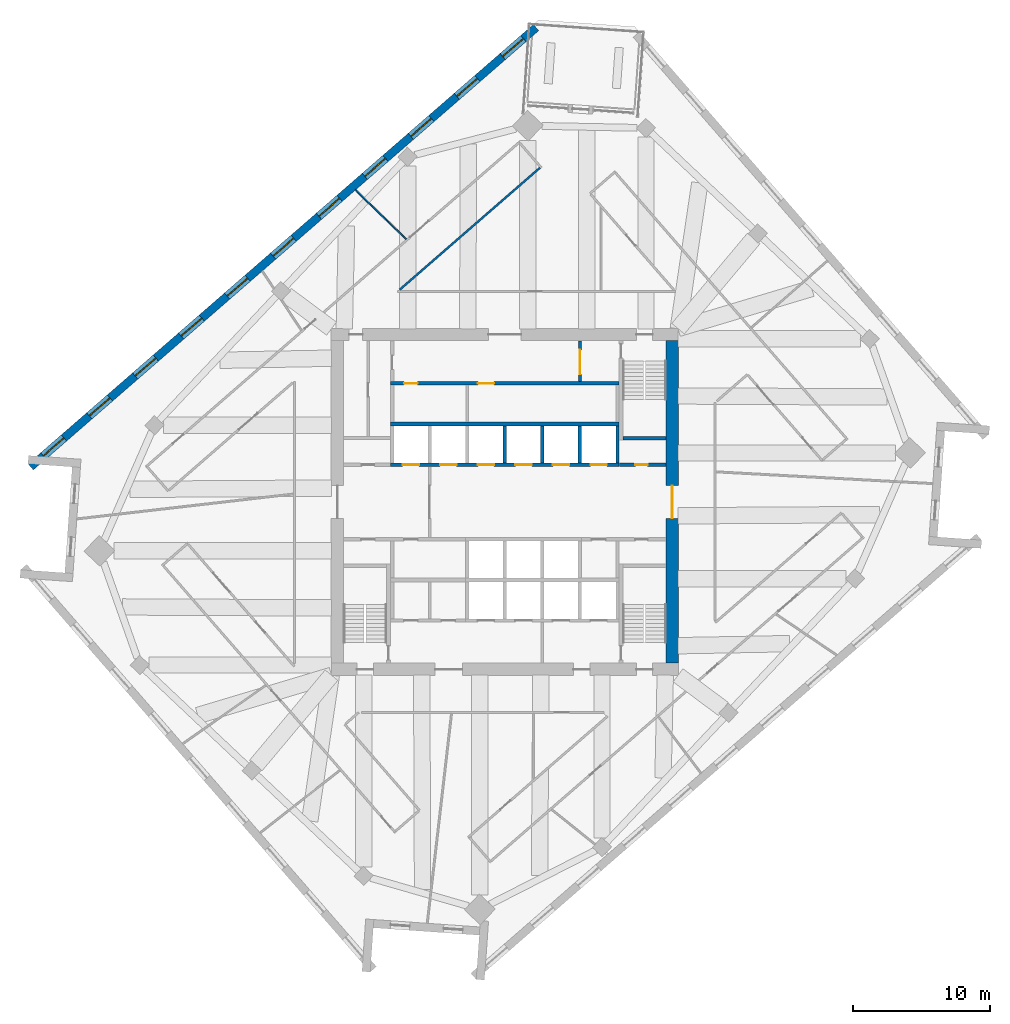
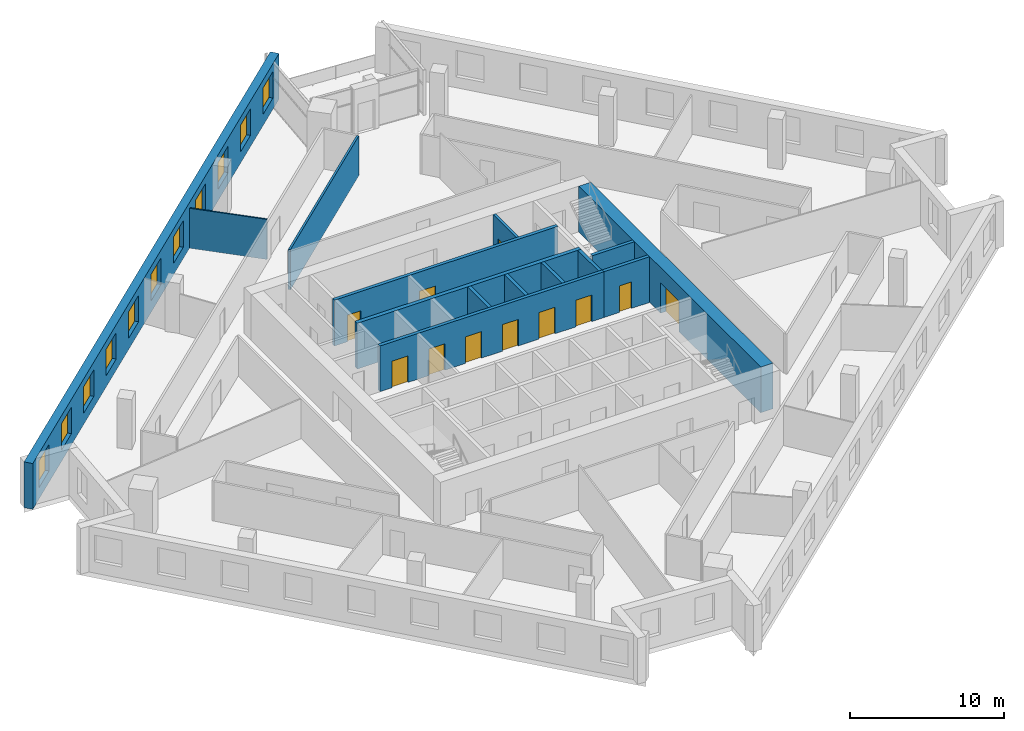
# One storey, part 7 of 11: 14 walls, 11 doors, 11 windows, 22 openings.
"""IFC4 building model written with IfcOpenShell, lengths in metres."""

from ifc_helpers import new_model, si_unit, direction, frame, frame_2d, origin, place, context, subcontext, project, spatial, rectangle, extrude, material, layer, layer_set, type_object, element, fill, save


model = new_model("IFC4")

# Units and contexts
model_context = context("Model", 3, precision=1e-05, world=origin(), true_north=direction((0.0, 1.0)))
body_context = subcontext(model_context, "Body", "Model", "MODEL_VIEW")
ifc_project = project(units=[si_unit("LENGTHUNIT", "METRE"), si_unit("AREAUNIT", "SQUARE_METRE"), si_unit("VOLUMEUNIT", "CUBIC_METRE"), si_unit("PLANEANGLEUNIT", "RADIAN"), si_unit("MASSUNIT", "GRAM", prefix="KILO")], contexts=[model_context])

# Site, building, storey
site_placement = place(None, origin())
site = spatial("IfcSite", under=ifc_project, at=site_placement, CompositionType="ELEMENT")
building_placement = place(site_placement, origin())
building = spatial("IfcBuilding", under=site, at=building_placement, Name="Dilmun Exchange Tower", CompositionType="ELEMENT")
storey_placement = place(building_placement, frame((0.0, 0.0, 193.300048828125)))
storey = spatial("IfcBuildingStorey", under=building, at=storey_placement, Name="L45", CompositionType="ELEMENT", Elevation=193.300048828125)

# Wall, opening, door
ifc_material_1 = material(Name="Concrete C40/50", Category="concrete")
ifc_layer_1 = layer(ifc_material_1, 0.199951171875)
ifc_layer_set_1 = layer_set([ifc_layer_1], Name="Concrete C40/50")
wall_type_1 = type_object("IfcWallType", Name="Core partition wall 200", PredefinedType="PARTITIONING", material=ifc_layer_set_1)
wall_1_placement = place(storey_placement, frame((5.5, 8.804931640625, 0.0), z_axis=(0.0, 0.0, 1.0), x_axis=(0.0, 1.0, 0.0)))
wall_1 = element("IfcWall", 1, at=wall_1_placement, inside=storey, type_object=wall_type_1, Name="L45 core partition wall 20", PredefinedType="PARTITIONING", context=body_context, shape_type="SweptSolid", body=[
    extrude(rectangle(XDim=2.989990234375, YDim=0.199951171875, at=frame_2d((1.4951171875, 0.0))), origin(), (0.0, 0.0, 1.0), 3.619873046875),
])
opening_1_placement = place(wall_1_placement, frame((0.532470703125, 0.0, 0.0)))
opening_1 = element("IfcOpeningElement", 2, at=opening_1_placement, cuts=wall_1, Name="Opening CD5", PredefinedType="OPENING", context=body_context, shape_type="SweptSolid", body=[
    extrude(rectangle(XDim=1.800048828125, YDim=2.10009765625, at=frame_2d((0.89990234375, 1.050048828125))), frame((0.0, 0.10986328125, 0.0), z_axis=(0.0, -1.0, 0.0), x_axis=(1.0, 0.0, 0.0)), (0.0, 0.0, 1.0), 0.219970703125),
])
ifc_material_2 = material(Name="Fire-rated steel door set", Category="steel")
door_type_1 = type_object("IfcDoorType", Name="Stair exit door 1800x2100", OperationType="SINGLE_SWING_LEFT", PredefinedType="DOOR", material=ifc_material_2)
door_1_placement = place(opening_1_placement, origin())
door_1 = element("IfcDoor", 3, at=door_1_placement, inside=storey, type_object=door_type_1, Name="L45 door Core corridor east", OperationType="SINGLE_SWING_LEFT", OverallHeight=2.10009765625, OverallWidth=1.800048828125, PredefinedType="DOOR", context=body_context, shape_type="SweptSolid", body=[
    extrude(rectangle(XDim=1.800048828125, YDim=2.10009765625, at=frame_2d((0.89990234375, 1.050048828125))), frame((0.0, 0.02490234375, 0.0), z_axis=(0.0, -1.0, 0.0), x_axis=(1.0, 0.0, 0.0)), (0.0, 0.0, 1.0), 0.050048828125),
])
fill(opening_1, door_1)

ifc_layer_2 = layer(ifc_material_1, 0.25)
ifc_layer_set_2 = layer_set([ifc_layer_2], Name="Concrete C40/50")
wall_type_2 = type_object("IfcWallType", Name="Core partition wall 250", PredefinedType="PARTITIONING", material=ifc_layer_set_2)
wall_2_placement = place(storey_placement, frame((8.3798828125, 2.72509765625, 0.0), z_axis=(0.0, 0.0, 1.0), x_axis=(1.0, 0.0, 0.0)))
wall_2 = element("IfcWall", 4, at=wall_2_placement, inside=storey, type_object=wall_type_2, Name="L45 core partition wall 12", PredefinedType="PARTITIONING", context=body_context, shape_type="SweptSolid", body=[
    extrude(rectangle(XDim=3.4150390625, YDim=0.25, at=frame_2d((1.70751953125, 0.0))), origin(), (0.0, 0.0, 1.0), 3.619873046875),
])
opening_2_placement = place(wall_2_placement, frame((1.169921875, 0.0, 0.0)))
opening_2 = element("IfcOpeningElement", 5, at=opening_2_placement, cuts=wall_2, Name="Opening CD6", PredefinedType="OPENING", context=body_context, shape_type="SweptSolid", body=[
    extrude(rectangle(XDim=0.89990234375, YDim=2.10009765625, at=frame_2d((0.449951171875, 1.050048828125))), frame((0.0, 0.135009765625, 0.0), z_axis=(0.0, -1.0, 0.0), x_axis=(1.0, 0.0, 0.0)), (0.0, 0.0, 1.0), 0.27001953125),
])
door_type_2 = type_object("IfcDoorType", Name="Core room door 900x2100", OperationType="SINGLE_SWING_LEFT", PredefinedType="DOOR", material=ifc_material_2)
door_2_placement = place(opening_2_placement, origin())
door_2 = element("IfcDoor", 6, at=door_2_placement, inside=storey, type_object=door_type_2, Name="L45 door Electrical riser", OperationType="SINGLE_SWING_RIGHT", OverallHeight=2.10009765625, OverallWidth=0.89990234375, PredefinedType="DOOR", context=body_context, shape_type="SweptSolid", body=[
    extrude(rectangle(XDim=0.89990234375, YDim=2.10009765625, at=frame_2d((0.449951171875, 1.050048828125))), frame((0.0, 0.02490234375, 0.0), z_axis=(0.0, -1.0, 0.0), x_axis=(1.0, 0.0, 0.0)), (0.0, 0.0, 1.0), 0.050048828125),
])
fill(opening_2, door_2)

# Wall, openings, doors
wall_3_placement = place(storey_placement, frame((-8.35009765625, 8.675048828125, 0.0), z_axis=(0.0, 0.0, 1.0), x_axis=(1.0, 0.0, 0.0)))
wall_3 = element("IfcWall", 7, at=wall_3_placement, inside=storey, type_object=wall_type_2, Name="L45 core partition wall 18", PredefinedType="PARTITIONING", context=body_context, shape_type="SweptSolid", body=[
    extrude(rectangle(XDim=16.72021484375, YDim=0.25, at=frame_2d((8.360107421875, 0.0))), origin(), (0.0, 0.0, 1.0), 3.619873046875),
])
opening_3_placement = place(wall_3_placement, frame((0.97509765625, 0.0, 0.0)))
opening_3 = element("IfcOpeningElement", 8, at=opening_3_placement, cuts=wall_3, Name="Opening CD4", PredefinedType="OPENING", context=body_context, shape_type="SweptSolid", body=[
    extrude(rectangle(XDim=1.0, YDim=2.10009765625, at=frame_2d((0.5, 1.050048828125))), frame((0.0, 0.135009765625, 0.0), z_axis=(0.0, -1.0, 0.0), x_axis=(1.0, 0.0, 0.0)), (0.0, 0.0, 1.0), 0.27001953125),
])
opening_4_placement = place(wall_3_placement, frame((6.375, 0.0, 0.0)))
opening_4 = element("IfcOpeningElement", 9, at=opening_4_placement, cuts=wall_3, Name="Opening CD3", PredefinedType="OPENING", context=body_context, shape_type="SweptSolid", body=[
    extrude(rectangle(XDim=1.199951171875, YDim=2.10009765625, at=frame_2d((0.60009765625, 1.050048828125))), frame((0.0, 0.135009765625, 0.0), z_axis=(0.0, -1.0, 0.0), x_axis=(1.0, 0.0, 0.0)), (0.0, 0.0, 1.0), 0.27001953125),
])
door_type_3 = type_object("IfcDoorType", Name="Core room door 1000x2100", OperationType="SINGLE_SWING_LEFT", PredefinedType="DOOR", material=ifc_material_2)
door_3_placement = place(opening_3_placement, origin())
door_3 = element("IfcDoor", 10, at=door_3_placement, inside=storey, type_object=door_type_3, Name="L45 door Archive store", OperationType="SINGLE_SWING_RIGHT", OverallHeight=2.10009765625, OverallWidth=1.0, PredefinedType="DOOR", context=body_context, shape_type="SweptSolid", body=[
    extrude(rectangle(XDim=1.0, YDim=2.10009765625, at=frame_2d((0.5, 1.050048828125))), frame((0.0, 0.02490234375, 0.0), z_axis=(0.0, -1.0, 0.0), x_axis=(1.0, 0.0, 0.0)), (0.0, 0.0, 1.0), 0.050048828125),
])
fill(opening_3, door_3)
door_type_4 = type_object("IfcDoorType", Name="Stair exit door 1200x2100", OperationType="SINGLE_SWING_LEFT", PredefinedType="DOOR", material=ifc_material_2)
door_4_placement = place(opening_4_placement, origin())
door_4 = element("IfcDoor", 11, at=door_4_placement, inside=storey, type_object=door_type_4, Name="L45 door Facilities workshop", OperationType="SINGLE_SWING_LEFT", OverallHeight=2.10009765625, OverallWidth=1.199951171875, PredefinedType="DOOR", context=body_context, shape_type="SweptSolid", body=[
    extrude(rectangle(XDim=1.199951171875, YDim=2.10009765625, at=frame_2d((0.60009765625, 1.050048828125))), frame((0.0, 0.02490234375, 0.0), z_axis=(0.0, -1.0, 0.0), x_axis=(1.0, 0.0, 0.0)), (0.0, 0.0, 1.0), 0.050048828125),
])
fill(opening_4, door_4)

# Wall, opening, door
ifc_material_3 = material(Name="Concrete C60/75", Category="concrete")
ifc_layer_3 = layer(ifc_material_3, 0.89990234375)
ifc_layer_set_3 = layer_set([ifc_layer_3], Name="Concrete C60/75")
wall_type_3 = type_object("IfcWallType", Name="Core shear wall 900 Concrete C60/75", PredefinedType="SHEAR", material=ifc_layer_set_3)
wall_4_placement = place(storey_placement, frame((12.25, -11.800048828125, 0.0), z_axis=(0.0, 0.0, 1.0), x_axis=(0.0, 1.0, 0.0)))
wall_4 = element("IfcWall", 12, at=wall_4_placement, inside=storey, type_object=wall_type_3, Name="L45 core shear wall E", PredefinedType="SHEAR", context=body_context, shape_type="SweptSolid", body=[
    extrude(rectangle(XDim=23.60009765625, YDim=0.89990234375, at=frame_2d((11.800048828125, 0.0))), origin(), (0.0, 0.0, 1.0), 3.619873046875),
])
opening_5_placement = place(wall_4_placement, frame((10.60009765625, 0.0, 0.0)))
opening_5 = element("IfcOpeningElement", 13, at=opening_5_placement, cuts=wall_4, Name="Opening CD1", PredefinedType="OPENING", context=body_context, shape_type="SweptSolid", body=[
    extrude(rectangle(XDim=2.39990234375, YDim=2.39990234375, at=frame_2d((1.199951171875, 1.199951171875))), frame((0.0, 0.4599609375, 0.0), z_axis=(0.0, -1.0, 0.0), x_axis=(1.0, 0.0, 0.0)), (0.0, 0.0, 1.0), 0.919921875),
])
door_type_5 = type_object("IfcDoorType", Name="Core lobby door 2400x2400", OperationType="DOUBLE_DOOR_DOUBLE_SWING", PredefinedType="DOOR", material=ifc_material_2)
door_5_placement = place(opening_5_placement, origin())
door_5 = element("IfcDoor", 14, at=door_5_placement, inside=storey, type_object=door_type_5, Name="L45 door Central lift lobby", OperationType="SINGLE_SWING_LEFT", OverallHeight=2.39990234375, OverallWidth=2.39990234375, PredefinedType="DOOR", context=body_context, shape_type="SweptSolid", body=[
    extrude(rectangle(XDim=2.39990234375, YDim=2.39990234375, at=frame_2d((1.199951171875, 1.199951171875))), frame((0.0, 0.02490234375, 0.0), z_axis=(0.0, -1.0, 0.0), x_axis=(1.0, 0.0, 0.0)), (0.0, 0.0, 1.0), 0.050048828125),
])
fill(opening_5, door_5)

# Walls
ifc_material_4 = material(Name="Corridor wall 150")
ifc_layer_4 = layer(ifc_material_4, 0.14990234375)
ifc_layer_set_4 = layer_set([ifc_layer_4], Name="Corridor wall 150")
wall_type_4 = type_object("IfcWallType", Name="Corridor wall 150", PredefinedType="PARTITIONING", material=ifc_layer_set_4)
wall_5_placement = place(storey_placement, frame((-7.691650390625, 15.531494140625, 0.0), z_axis=(0.0, 0.0, 1.0), x_axis=(0.754705202017, 0.656064065506, 0.0)))
element("IfcWall", 15, at=wall_5_placement, inside=storey, type_object=wall_type_4, Name="Corridor wall", PredefinedType="PARTITIONING", context=body_context, shape_type="SweptSolid", body=[
    extrude(rectangle(XDim=13.602783203125, YDim=0.14990234375, at=frame_2d((6.80126953125, 0.0))), origin(), (0.0, 0.0, 1.0), 3.169921875),
])
ifc_layer_5 = layer(ifc_material_1, 0.300048828125)
ifc_layer_set_5 = layer_set([ifc_layer_5], Name="Concrete C40/50")
wall_type_5 = type_object("IfcWallType", Name="Lift shaft shared wall 300", PredefinedType="SOLIDWALL", material=ifc_layer_set_5)
wall_6_placement = place(storey_placement, frame((-8.375, 5.699951171875, 0.0), z_axis=(0.0, 0.0, 1.0), x_axis=(1.0, 0.0, 0.0)))
element("IfcWall", 16, at=wall_6_placement, inside=storey, type_object=wall_type_5, Name="L45 lift shaft rear wall N", PredefinedType="SOLIDWALL", context=body_context, shape_type="SweptSolid", body=[
    extrude(rectangle(XDim=16.75, YDim=0.300048828125, at=frame_2d((8.375, 0.0))), origin(), (0.0, 0.0, 1.0), 3.619873046875),
])

# Wall, openings, doors
ifc_layer_6 = layer(ifc_material_1, 0.25)
ifc_layer_set_6 = layer_set([ifc_layer_6], Name="Concrete C40/50")
wall_type_6 = type_object("IfcWallType", Name="Lift shaft wall 250", PredefinedType="SOLIDWALL", material=ifc_layer_set_6)
wall_7_placement = place(storey_placement, frame((-8.375, 2.72509765625, 0.0), z_axis=(0.0, 0.0, 1.0), x_axis=(1.0, 0.0, 0.0)))
wall_7 = element("IfcWall", 17, at=wall_7_placement, inside=storey, type_object=wall_type_6, Name="L45 lift shaft front wall N1", PredefinedType="SOLIDWALL", context=body_context, shape_type="SweptSolid", body=[
    extrude(rectangle(XDim=16.75, YDim=0.25, at=frame_2d((8.375, 0.0))), origin(), (0.0, 0.0, 1.0), 3.619873046875),
])
opening_6_placement = place(wall_7_placement, frame((0.89990234375, 0.0, 0.0)))
opening_6 = element("IfcOpeningElement", 18, at=opening_6_placement, cuts=wall_7, Name="Opening LD", PredefinedType="OPENING", context=body_context, shape_type="SweptSolid", body=[
    extrude(rectangle(XDim=1.199951171875, YDim=2.10009765625, at=frame_2d((0.60009765625, 1.050048828125))), frame((0.0, 0.135009765625, 0.0), z_axis=(0.0, -1.0, 0.0), x_axis=(1.0, 0.0, 0.0)), (0.0, 0.0, 1.0), 0.27001953125),
])
opening_7_placement = place(wall_7_placement, frame((3.64990234375, 0.0, 0.0)))
opening_7 = element("IfcOpeningElement", 19, at=opening_7_placement, cuts=wall_7, Name="Opening LD", PredefinedType="OPENING", context=body_context, shape_type="SweptSolid", body=[
    extrude(rectangle(XDim=1.199951171875, YDim=2.10009765625, at=frame_2d((0.60009765625, 1.050048828125))), frame((0.0, 0.135009765625, 0.0), z_axis=(0.0, -1.0, 0.0), x_axis=(1.0, 0.0, 0.0)), (0.0, 0.0, 1.0), 0.27001953125),
])
opening_8_placement = place(wall_7_placement, frame((6.39990234375, 0.0, 0.0)))
opening_8 = element("IfcOpeningElement", 20, at=opening_8_placement, cuts=wall_7, Name="Opening LD", PredefinedType="OPENING", context=body_context, shape_type="SweptSolid", body=[
    extrude(rectangle(XDim=1.199951171875, YDim=2.10009765625, at=frame_2d((0.60009765625, 1.050048828125))), frame((0.0, 0.135009765625, 0.0), z_axis=(0.0, -1.0, 0.0), x_axis=(1.0, 0.0, 0.0)), (0.0, 0.0, 1.0), 0.27001953125),
])
opening_9_placement = place(wall_7_placement, frame((9.14990234375, 0.0, 0.0)))
opening_9 = element("IfcOpeningElement", 21, at=opening_9_placement, cuts=wall_7, Name="Opening LD", PredefinedType="OPENING", context=body_context, shape_type="SweptSolid", body=[
    extrude(rectangle(XDim=1.199951171875, YDim=2.10009765625, at=frame_2d((0.60009765625, 1.050048828125))), frame((0.0, 0.135009765625, 0.0), z_axis=(0.0, -1.0, 0.0), x_axis=(1.0, 0.0, 0.0)), (0.0, 0.0, 1.0), 0.27001953125),
])
opening_10_placement = place(wall_7_placement, frame((11.89990234375, 0.0, 0.0)))
opening_10 = element("IfcOpeningElement", 22, at=opening_10_placement, cuts=wall_7, Name="Opening LD", PredefinedType="OPENING", context=body_context, shape_type="SweptSolid", body=[
    extrude(rectangle(XDim=1.199951171875, YDim=2.10009765625, at=frame_2d((0.60009765625, 1.050048828125))), frame((0.0, 0.135009765625, 0.0), z_axis=(0.0, -1.0, 0.0), x_axis=(1.0, 0.0, 0.0)), (0.0, 0.0, 1.0), 0.27001953125),
])
opening_11_placement = place(wall_7_placement, frame((14.64990234375, 0.0, 0.0)))
opening_11 = element("IfcOpeningElement", 23, at=opening_11_placement, cuts=wall_7, Name="Opening LD", PredefinedType="OPENING", context=body_context, shape_type="SweptSolid", body=[
    extrude(rectangle(XDim=1.199951171875, YDim=2.10009765625, at=frame_2d((0.60009765625, 1.050048828125))), frame((0.0, 0.135009765625, 0.0), z_axis=(0.0, -1.0, 0.0), x_axis=(1.0, 0.0, 0.0)), (0.0, 0.0, 1.0), 0.27001953125),
])
door_type_6 = type_object("IfcDoorType", Name="Lift landing door 1200x2100", OperationType="DOUBLE_DOOR_SLIDING", PredefinedType="DOOR", material=ifc_material_2)
door_6_placement = place(opening_6_placement, origin())
door_6 = element("IfcDoor", 24, at=door_6_placement, inside=storey, type_object=door_type_6, Name="L45 landing door MR1", OperationType="DOUBLE_DOOR_SLIDING", OverallHeight=2.10009765625, OverallWidth=1.199951171875, PredefinedType="DOOR", context=body_context, shape_type="SweptSolid", body=[
    extrude(rectangle(XDim=1.199951171875, YDim=2.10009765625, at=frame_2d((0.60009765625, 1.050048828125))), frame((0.0, 0.02490234375, 0.0), z_axis=(0.0, -1.0, 0.0), x_axis=(1.0, 0.0, 0.0)), (0.0, 0.0, 1.0), 0.050048828125),
])
fill(opening_6, door_6)
door_7_placement = place(opening_7_placement, origin())
door_7 = element("IfcDoor", 25, at=door_7_placement, inside=storey, type_object=door_type_6, Name="L45 landing door MR2", OperationType="DOUBLE_DOOR_SLIDING", OverallHeight=2.10009765625, OverallWidth=1.199951171875, PredefinedType="DOOR", context=body_context, shape_type="SweptSolid", body=[
    extrude(rectangle(XDim=1.199951171875, YDim=2.10009765625, at=frame_2d((0.60009765625, 1.050048828125))), frame((0.0, 0.02490234375, 0.0), z_axis=(0.0, -1.0, 0.0), x_axis=(1.0, 0.0, 0.0)), (0.0, 0.0, 1.0), 0.050048828125),
])
fill(opening_7, door_7)
door_8_placement = place(opening_8_placement, origin())
door_8 = element("IfcDoor", 26, at=door_8_placement, inside=storey, type_object=door_type_6, Name="L45 landing door MR3", OperationType="DOUBLE_DOOR_SLIDING", OverallHeight=2.10009765625, OverallWidth=1.199951171875, PredefinedType="DOOR", context=body_context, shape_type="SweptSolid", body=[
    extrude(rectangle(XDim=1.199951171875, YDim=2.10009765625, at=frame_2d((0.60009765625, 1.050048828125))), frame((0.0, 0.02490234375, 0.0), z_axis=(0.0, -1.0, 0.0), x_axis=(1.0, 0.0, 0.0)), (0.0, 0.0, 1.0), 0.050048828125),
])
fill(opening_8, door_8)
door_9_placement = place(opening_9_placement, origin())
door_9 = element("IfcDoor", 27, at=door_9_placement, inside=storey, type_object=door_type_6, Name="L45 landing door MR4", OperationType="DOUBLE_DOOR_SLIDING", OverallHeight=2.10009765625, OverallWidth=1.199951171875, PredefinedType="DOOR", context=body_context, shape_type="SweptSolid", body=[
    extrude(rectangle(XDim=1.199951171875, YDim=2.10009765625, at=frame_2d((0.60009765625, 1.050048828125))), frame((0.0, 0.02490234375, 0.0), z_axis=(0.0, -1.0, 0.0), x_axis=(1.0, 0.0, 0.0)), (0.0, 0.0, 1.0), 0.050048828125),
])
fill(opening_9, door_9)
door_10_placement = place(opening_10_placement, origin())
door_10 = element("IfcDoor", 28, at=door_10_placement, inside=storey, type_object=door_type_6, Name="L45 landing door MR5", OperationType="DOUBLE_DOOR_SLIDING", OverallHeight=2.10009765625, OverallWidth=1.199951171875, PredefinedType="DOOR", context=body_context, shape_type="SweptSolid", body=[
    extrude(rectangle(XDim=1.199951171875, YDim=2.10009765625, at=frame_2d((0.60009765625, 1.050048828125))), frame((0.0, 0.02490234375, 0.0), z_axis=(0.0, -1.0, 0.0), x_axis=(1.0, 0.0, 0.0)), (0.0, 0.0, 1.0), 0.050048828125),
])
fill(opening_10, door_10)
door_11_placement = place(opening_11_placement, origin())
door_11 = element("IfcDoor", 29, at=door_11_placement, inside=storey, type_object=door_type_6, Name="L45 landing door MR6", OperationType="DOUBLE_DOOR_SLIDING", OverallHeight=2.10009765625, OverallWidth=1.199951171875, PredefinedType="DOOR", context=body_context, shape_type="SweptSolid", body=[
    extrude(rectangle(XDim=1.199951171875, YDim=2.10009765625, at=frame_2d((0.60009765625, 1.050048828125))), frame((0.0, 0.02490234375, 0.0), z_axis=(0.0, -1.0, 0.0), x_axis=(1.0, 0.0, 0.0)), (0.0, 0.0, 1.0), 0.050048828125),
])
fill(opening_11, door_11)

# Walls
for number, where, z_axis, x_axis, name in (
    (30, (0.0, 2.85009765625, 0.0), (0.0, 0.0, 1.0), (0.0, 1.0, 0.0), "L45 lift shaft divider N13"),
    (31, (2.75, 2.85009765625, 0.0), (0.0, 0.0, 1.0), (0.0, 1.0, 0.0), "L45 lift shaft divider N14"),
    (32, (5.5, 2.85009765625, 0.0), (0.0, 0.0, 1.0), (0.0, 1.0, 0.0), "L45 lift shaft divider N15"),
    (33, (8.25, 2.85009765625, 0.0), (0.0, 0.0, 1.0), (0.0, 1.0, 0.0), "L45 lift shaft divider N16"),
):
    element("IfcWall", number, at=place(storey_placement, frame(where, z_axis=z_axis, x_axis=x_axis)), inside=storey, type_object=wall_type_6, Name=name, PredefinedType="SOLIDWALL", context=body_context, shape_type="SweptSolid", body=[
        extrude(rectangle(XDim=2.699951171875, YDim=0.25, at=frame_2d((1.35009765625, 0.0))), origin(), (0.0, 0.0, 1.0), 3.619873046875),
    ])
ifc_material_5 = material(Name="Partition 100")
ifc_layer_7 = layer(ifc_material_5, 0.10009765625)
ifc_layer_set_7 = layer_set([ifc_layer_7], Name="Partition 100")
wall_type_7 = type_object("IfcWallType", Name="Partition 100", PredefinedType="PARTITIONING", material=ifc_layer_set_7)
wall_8_placement = place(storey_placement, frame((-10.925537109375, 22.830078125, 0.0), z_axis=(0.0, 0.0, 1.0), x_axis=(0.718303647436, -0.695729739252, 0.0)))
element("IfcWall", 34, at=wall_8_placement, inside=storey, type_object=wall_type_7, Name="Partition", PredefinedType="PARTITIONING", context=body_context, shape_type="SweptSolid", body=[
    extrude(rectangle(XDim=5.169677734375, YDim=0.10009765625, at=frame_2d((2.5849609375, 0.0))), origin(), (0.0, 0.0, 1.0), 3.169921875),
])

# Wall, openings, windows
ifc_material_6 = material(Name="Precast concrete C50/60", Category="concrete")
ifc_layer_8 = layer(ifc_material_6, 0.60009765625)
ifc_layer_set_8 = layer_set([ifc_layer_8], Name="Precast concrete C50/60")
wall_type_8 = type_object("IfcWallType", Name="Precast stone-clad wall 600", PredefinedType="STANDARD", material=ifc_layer_set_8)
wall_9_placement = place(storey_placement, frame((2.28564453125, 34.71484375, 0.0), z_axis=(0.0, 0.0, 1.0), x_axis=(-0.754708272811, -0.656060532993, 0.0)))
wall_9 = element("IfcWall", 35, at=wall_9_placement, inside=storey, type_object=wall_type_8, Name="Facade wall L45-03", PredefinedType="STANDARD", context=body_context, shape_type="SweptSolid", body=[
    extrude(rectangle(XDim=49.0, YDim=0.60009765625, at=frame_2d((24.5, 0.0))), origin(), (0.0, 0.0, 1.0), 3.619873046875),
])
opening_12_placement = place(wall_9_placement, frame((1.227294921875, 0.0, 0.89990234375)))
opening_12 = element("IfcOpeningElement", 36, at=opening_12_placement, cuts=wall_9, Name="Opening W200-210", PredefinedType="OPENING", context=body_context, shape_type="SweptSolid", body=[
    extrude(rectangle(XDim=2.0, YDim=2.10009765625, at=frame_2d((1.0, 1.050048828125))), frame((0.0, 0.31005859375, 0.0), z_axis=(0.0, -1.0, 0.0), x_axis=(1.0, 0.0, 0.0)), (0.0, 0.0, 1.0), 0.6201171875),
])
opening_13_placement = place(wall_9_placement, frame((5.681884765625, 0.0, 0.89990234375)))
opening_13 = element("IfcOpeningElement", 37, at=opening_13_placement, cuts=wall_9, Name="Opening W200-210", PredefinedType="OPENING", context=body_context, shape_type="SweptSolid", body=[
    extrude(rectangle(XDim=2.0, YDim=2.10009765625, at=frame_2d((1.0, 1.050048828125))), frame((0.0, 0.31005859375, 0.0), z_axis=(0.0, -1.0, 0.0), x_axis=(1.0, 0.0, 0.0)), (0.0, 0.0, 1.0), 0.6201171875),
])
opening_14_placement = place(wall_9_placement, frame((10.136474609375, 0.0, 0.89990234375)))
opening_14 = element("IfcOpeningElement", 38, at=opening_14_placement, cuts=wall_9, Name="Opening W200-210", PredefinedType="OPENING", context=body_context, shape_type="SweptSolid", body=[
    extrude(rectangle(XDim=2.0, YDim=2.10009765625, at=frame_2d((1.0, 1.050048828125))), frame((0.0, 0.31005859375, 0.0), z_axis=(0.0, -1.0, 0.0), x_axis=(1.0, 0.0, 0.0)), (0.0, 0.0, 1.0), 0.6201171875),
])
opening_15_placement = place(wall_9_placement, frame((14.5908203125, 0.0, 0.89990234375)))
opening_15 = element("IfcOpeningElement", 39, at=opening_15_placement, cuts=wall_9, Name="Opening W200-210", PredefinedType="OPENING", context=body_context, shape_type="SweptSolid", body=[
    extrude(rectangle(XDim=2.0, YDim=2.10009765625, at=frame_2d((1.0, 1.050048828125))), frame((0.0, 0.31005859375, 0.0), z_axis=(0.0, -1.0, 0.0), x_axis=(1.0, 0.0, 0.0)), (0.0, 0.0, 1.0), 0.6201171875),
])
opening_16_placement = place(wall_9_placement, frame((19.04541015625, 0.0, 0.89990234375)))
opening_16 = element("IfcOpeningElement", 40, at=opening_16_placement, cuts=wall_9, Name="Opening W200-210", PredefinedType="OPENING", context=body_context, shape_type="SweptSolid", body=[
    extrude(rectangle(XDim=2.0, YDim=2.10009765625, at=frame_2d((1.0, 1.050048828125))), frame((0.0, 0.31005859375, 0.0), z_axis=(0.0, -1.0, 0.0), x_axis=(1.0, 0.0, 0.0)), (0.0, 0.0, 1.0), 0.6201171875),
])
opening_17_placement = place(wall_9_placement, frame((23.5, 0.0, 0.89990234375)))
opening_17 = element("IfcOpeningElement", 41, at=opening_17_placement, cuts=wall_9, Name="Opening W200-210", PredefinedType="OPENING", context=body_context, shape_type="SweptSolid", body=[
    extrude(rectangle(XDim=2.0, YDim=2.10009765625, at=frame_2d((1.0, 1.050048828125))), frame((0.0, 0.31005859375, 0.0), z_axis=(0.0, -1.0, 0.0), x_axis=(1.0, 0.0, 0.0)), (0.0, 0.0, 1.0), 0.6201171875),
])
opening_18_placement = place(wall_9_placement, frame((27.95458984375, 0.0, 0.89990234375)))
opening_18 = element("IfcOpeningElement", 42, at=opening_18_placement, cuts=wall_9, Name="Opening W200-210", PredefinedType="OPENING", context=body_context, shape_type="SweptSolid", body=[
    extrude(rectangle(XDim=2.0, YDim=2.10009765625, at=frame_2d((1.0, 1.050048828125))), frame((0.0, 0.31005859375, 0.0), z_axis=(0.0, -1.0, 0.0), x_axis=(1.0, 0.0, 0.0)), (0.0, 0.0, 1.0), 0.6201171875),
])
opening_19_placement = place(wall_9_placement, frame((32.4091796875, 0.0, 0.89990234375)))
opening_19 = element("IfcOpeningElement", 43, at=opening_19_placement, cuts=wall_9, Name="Opening W200-210", PredefinedType="OPENING", context=body_context, shape_type="SweptSolid", body=[
    extrude(rectangle(XDim=2.0, YDim=2.10009765625, at=frame_2d((1.0, 1.050048828125))), frame((0.0, 0.31005859375, 0.0), z_axis=(0.0, -1.0, 0.0), x_axis=(1.0, 0.0, 0.0)), (0.0, 0.0, 1.0), 0.6201171875),
])
opening_20_placement = place(wall_9_placement, frame((36.863525390625, 0.0, 0.89990234375)))
opening_20 = element("IfcOpeningElement", 44, at=opening_20_placement, cuts=wall_9, Name="Opening W200-210", PredefinedType="OPENING", context=body_context, shape_type="SweptSolid", body=[
    extrude(rectangle(XDim=2.0, YDim=2.10009765625, at=frame_2d((1.0, 1.050048828125))), frame((0.0, 0.31005859375, 0.0), z_axis=(0.0, -1.0, 0.0), x_axis=(1.0, 0.0, 0.0)), (0.0, 0.0, 1.0), 0.6201171875),
])
opening_21_placement = place(wall_9_placement, frame((41.318115234375, 0.0, 0.89990234375)))
opening_21 = element("IfcOpeningElement", 45, at=opening_21_placement, cuts=wall_9, Name="Opening W200-210", PredefinedType="OPENING", context=body_context, shape_type="SweptSolid", body=[
    extrude(rectangle(XDim=2.0, YDim=2.10009765625, at=frame_2d((1.0, 1.050048828125))), frame((0.0, 0.31005859375, 0.0), z_axis=(0.0, -1.0, 0.0), x_axis=(1.0, 0.0, 0.0)), (0.0, 0.0, 1.0), 0.6201171875),
])
opening_22_placement = place(wall_9_placement, frame((45.772705078125, 0.0, 0.89990234375)))
opening_22 = element("IfcOpeningElement", 46, at=opening_22_placement, cuts=wall_9, Name="Opening W200-210", PredefinedType="OPENING", context=body_context, shape_type="SweptSolid", body=[
    extrude(rectangle(XDim=2.0, YDim=2.10009765625, at=frame_2d((1.0, 1.050048828125))), frame((0.0, 0.31005859375, 0.0), z_axis=(0.0, -1.0, 0.0), x_axis=(1.0, 0.0, 0.0)), (0.0, 0.0, 1.0), 0.6201171875),
])
ifc_material_7 = material(Name="Clear low-emissivity glass in aluminium frame", Category="aluminium")
window_type = type_object("IfcWindowType", Name="Punched window 2000 x 2100", PartitioningType="DOUBLE_PANEL_VERTICAL", PredefinedType="WINDOW", material=ifc_material_7)
window_1_placement = place(opening_12_placement, origin())
window_1 = element("IfcWindow", 47, at=window_1_placement, inside=storey, type_object=window_type, Name="Window 4.1", OverallHeight=2.10009765625, OverallWidth=2.0, PartitioningType="SINGLE_PANEL", PredefinedType="WINDOW", context=body_context, shape_type="SweptSolid", body=[
    extrude(rectangle(XDim=2.0, YDim=2.10009765625, at=frame_2d((1.0, 1.050048828125))), frame((0.0, 0.030029296875, 0.0), z_axis=(0.0, -1.0, 0.0), x_axis=(1.0, 0.0, 0.0)), (0.0, 0.0, 1.0), 0.06005859375),
])
fill(opening_12, window_1)
window_2_placement = place(opening_13_placement, origin())
window_2 = element("IfcWindow", 48, at=window_2_placement, inside=storey, type_object=window_type, Name="Window 4.2", OverallHeight=2.10009765625, OverallWidth=2.0, PartitioningType="SINGLE_PANEL", PredefinedType="WINDOW", context=body_context, shape_type="SweptSolid", body=[
    extrude(rectangle(XDim=2.0, YDim=2.10009765625, at=frame_2d((1.0, 1.050048828125))), frame((0.0, 0.030029296875, 0.0), z_axis=(0.0, -1.0, 0.0), x_axis=(1.0, 0.0, 0.0)), (0.0, 0.0, 1.0), 0.06005859375),
])
fill(opening_13, window_2)
window_3_placement = place(opening_14_placement, origin())
window_3 = element("IfcWindow", 49, at=window_3_placement, inside=storey, type_object=window_type, Name="Window 4.3", OverallHeight=2.10009765625, OverallWidth=2.0, PartitioningType="SINGLE_PANEL", PredefinedType="WINDOW", context=body_context, shape_type="SweptSolid", body=[
    extrude(rectangle(XDim=2.0, YDim=2.10009765625, at=frame_2d((1.0, 1.050048828125))), frame((0.0, 0.030029296875, 0.0), z_axis=(0.0, -1.0, 0.0), x_axis=(1.0, 0.0, 0.0)), (0.0, 0.0, 1.0), 0.06005859375),
])
fill(opening_14, window_3)
window_4_placement = place(opening_15_placement, origin())
window_4 = element("IfcWindow", 50, at=window_4_placement, inside=storey, type_object=window_type, Name="Window 4.4", OverallHeight=2.10009765625, OverallWidth=2.0, PartitioningType="SINGLE_PANEL", PredefinedType="WINDOW", context=body_context, shape_type="SweptSolid", body=[
    extrude(rectangle(XDim=2.0, YDim=2.10009765625, at=frame_2d((1.0, 1.050048828125))), frame((0.0, 0.030029296875, 0.0), z_axis=(0.0, -1.0, 0.0), x_axis=(1.0, 0.0, 0.0)), (0.0, 0.0, 1.0), 0.06005859375),
])
fill(opening_15, window_4)
window_5_placement = place(opening_16_placement, origin())
window_5 = element("IfcWindow", 51, at=window_5_placement, inside=storey, type_object=window_type, Name="Window 4.5", OverallHeight=2.10009765625, OverallWidth=2.0, PartitioningType="SINGLE_PANEL", PredefinedType="WINDOW", context=body_context, shape_type="SweptSolid", body=[
    extrude(rectangle(XDim=2.0, YDim=2.10009765625, at=frame_2d((1.0, 1.050048828125))), frame((0.0, 0.030029296875, 0.0), z_axis=(0.0, -1.0, 0.0), x_axis=(1.0, 0.0, 0.0)), (0.0, 0.0, 1.0), 0.06005859375),
])
fill(opening_16, window_5)
window_6_placement = place(opening_17_placement, origin())
window_6 = element("IfcWindow", 52, at=window_6_placement, inside=storey, type_object=window_type, Name="Window 4.6", OverallHeight=2.10009765625, OverallWidth=2.0, PartitioningType="SINGLE_PANEL", PredefinedType="WINDOW", context=body_context, shape_type="SweptSolid", body=[
    extrude(rectangle(XDim=2.0, YDim=2.10009765625, at=frame_2d((1.0, 1.050048828125))), frame((0.0, 0.030029296875, 0.0), z_axis=(0.0, -1.0, 0.0), x_axis=(1.0, 0.0, 0.0)), (0.0, 0.0, 1.0), 0.06005859375),
])
fill(opening_17, window_6)
window_7_placement = place(opening_18_placement, origin())
window_7 = element("IfcWindow", 53, at=window_7_placement, inside=storey, type_object=window_type, Name="Window 4.7", OverallHeight=2.10009765625, OverallWidth=2.0, PartitioningType="SINGLE_PANEL", PredefinedType="WINDOW", context=body_context, shape_type="SweptSolid", body=[
    extrude(rectangle(XDim=2.0, YDim=2.10009765625, at=frame_2d((1.0, 1.050048828125))), frame((0.0, 0.030029296875, 0.0), z_axis=(0.0, -1.0, 0.0), x_axis=(1.0, 0.0, 0.0)), (0.0, 0.0, 1.0), 0.06005859375),
])
fill(opening_18, window_7)
window_8_placement = place(opening_19_placement, origin())
window_8 = element("IfcWindow", 54, at=window_8_placement, inside=storey, type_object=window_type, Name="Window 4.8", OverallHeight=2.10009765625, OverallWidth=2.0, PartitioningType="SINGLE_PANEL", PredefinedType="WINDOW", context=body_context, shape_type="SweptSolid", body=[
    extrude(rectangle(XDim=2.0, YDim=2.10009765625, at=frame_2d((1.0, 1.050048828125))), frame((0.0, 0.030029296875, 0.0), z_axis=(0.0, -1.0, 0.0), x_axis=(1.0, 0.0, 0.0)), (0.0, 0.0, 1.0), 0.06005859375),
])
fill(opening_19, window_8)
window_9_placement = place(opening_20_placement, origin())
window_9 = element("IfcWindow", 55, at=window_9_placement, inside=storey, type_object=window_type, Name="Window 4.9", OverallHeight=2.10009765625, OverallWidth=2.0, PartitioningType="SINGLE_PANEL", PredefinedType="WINDOW", context=body_context, shape_type="SweptSolid", body=[
    extrude(rectangle(XDim=2.0, YDim=2.10009765625, at=frame_2d((1.0, 1.050048828125))), frame((0.0, 0.030029296875, 0.0), z_axis=(0.0, -1.0, 0.0), x_axis=(1.0, 0.0, 0.0)), (0.0, 0.0, 1.0), 0.06005859375),
])
fill(opening_20, window_9)
window_10_placement = place(opening_21_placement, origin())
window_10 = element("IfcWindow", 56, at=window_10_placement, inside=storey, type_object=window_type, Name="Window 4.10", OverallHeight=2.10009765625, OverallWidth=2.0, PartitioningType="SINGLE_PANEL", PredefinedType="WINDOW", context=body_context, shape_type="SweptSolid", body=[
    extrude(rectangle(XDim=2.0, YDim=2.10009765625, at=frame_2d((1.0, 1.050048828125))), frame((0.0, 0.030029296875, 0.0), z_axis=(0.0, -1.0, 0.0), x_axis=(1.0, 0.0, 0.0)), (0.0, 0.0, 1.0), 0.06005859375),
])
fill(opening_21, window_10)
window_11_placement = place(opening_22_placement, origin())
window_11 = element("IfcWindow", 57, at=window_11_placement, inside=storey, type_object=window_type, Name="Window 4.11", OverallHeight=2.10009765625, OverallWidth=2.0, PartitioningType="SINGLE_PANEL", PredefinedType="WINDOW", context=body_context, shape_type="SweptSolid", body=[
    extrude(rectangle(XDim=2.0, YDim=2.10009765625, at=frame_2d((1.0, 1.050048828125))), frame((0.0, 0.030029296875, 0.0), z_axis=(0.0, -1.0, 0.0), x_axis=(1.0, 0.0, 0.0)), (0.0, 0.0, 1.0), 0.06005859375),
])
fill(opening_22, window_11)

# Wall
ifc_layer_9 = layer(ifc_material_1, 0.25)
ifc_layer_set_9 = layer_set([ifc_layer_9], Name="Concrete C40/50")
wall_type_9 = type_object("IfcWallType", Name="Stair end wall 250", PredefinedType="SOLIDWALL", material=ifc_layer_set_9)
wall_10_placement = place(storey_placement, frame((8.64990234375, 4.675048828125, 0.0), z_axis=(0.0, 0.0, 1.0), x_axis=(1.0, 0.0, 0.0)))
element("IfcWall", 58, at=wall_10_placement, inside=storey, type_object=wall_type_9, Name="L45 ST1 far wall", PredefinedType="SOLIDWALL", context=body_context, shape_type="SweptSolid", body=[
    extrude(rectangle(XDim=3.150146484375, YDim=0.25, at=frame_2d((1.5751953125, 0.0))), origin(), (0.0, 0.0, 1.0), 3.619873046875),
])

save(model, "model.ifc")
